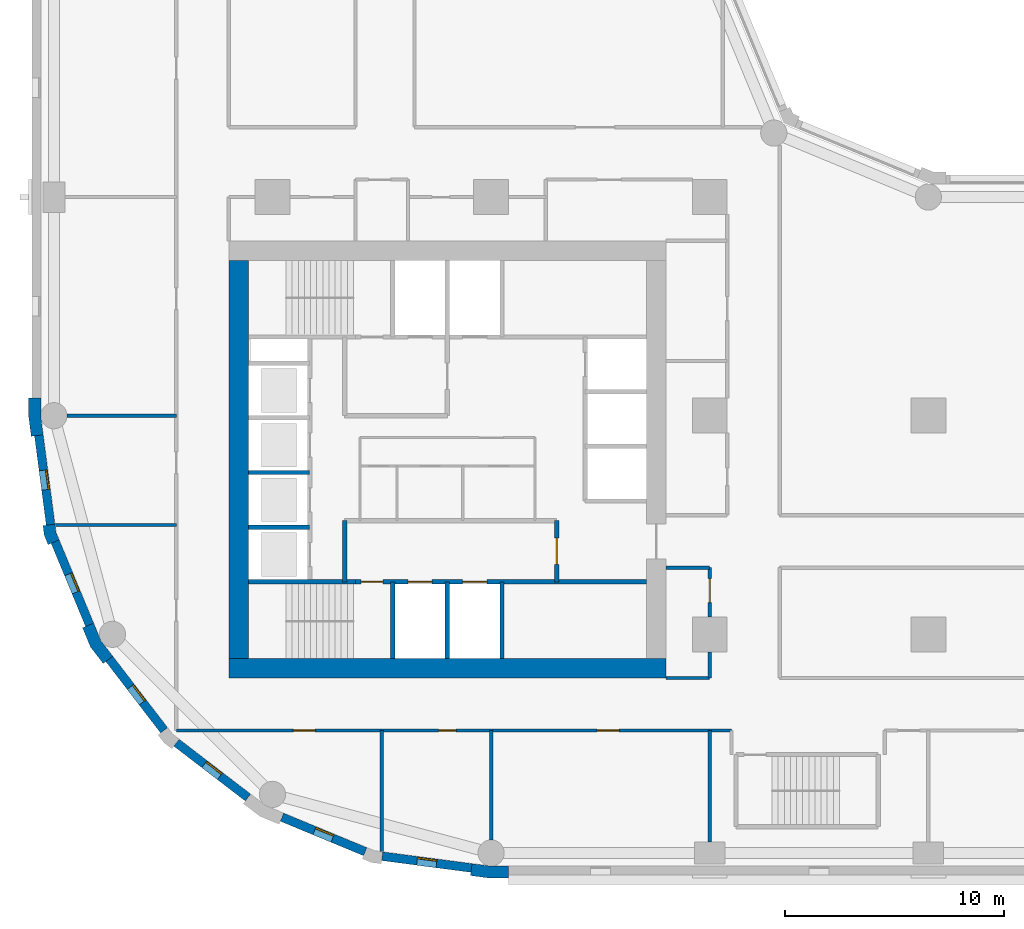
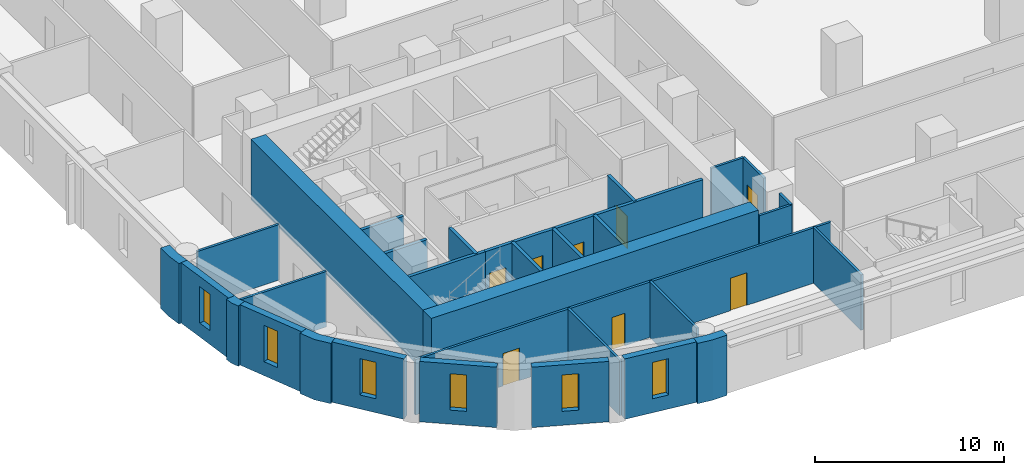
# One storey, part 2 of 10: 31 walls, 8 doors, 6 windows, 14 openings.
"""IFC4 building model written with IfcOpenShell, lengths in metres."""

from ifc_helpers import new_model, si_unit, direction, frame, frame_2d, origin, place, context, subcontext, project, spatial, polyline, rectangle, outline, extrude, material, layer, layer_set, type_object, element, fill, save


model = new_model("IFC4")

# Units and contexts
model_context = context("Model", 3, precision=1e-05, world=origin(), true_north=direction((0.0, 1.0)))
body_context = subcontext(model_context, "Body", "Model", "MODEL_VIEW")
ifc_project = project(units=[si_unit("LENGTHUNIT", "METRE"), si_unit("AREAUNIT", "SQUARE_METRE"), si_unit("VOLUMEUNIT", "CUBIC_METRE"), si_unit("PLANEANGLEUNIT", "RADIAN"), si_unit("MASSUNIT", "GRAM", prefix="KILO")], contexts=[model_context])

# Site, building, storey
site_placement = place(None, origin())
site = spatial("IfcSite", under=ifc_project, at=site_placement, CompositionType="ELEMENT")
building_placement = place(site_placement, origin())
building = spatial("IfcBuilding", under=site, at=building_placement, Name="Qaws Garden Tower", CompositionType="ELEMENT")
storey_placement = place(building_placement, frame((0.0, 0.0, 47.10009765625)))
storey = spatial("IfcBuildingStorey", under=building, at=storey_placement, Name="L11", CompositionType="ELEMENT", Elevation=47.10009765625)

# Wall, opening, window
ifc_material_1 = material(Name="Clay facing brick masonry", Category="masonry")
ifc_layer_1 = layer(ifc_material_1, 0.39990234375)
ifc_layer_set_1 = layer_set([ifc_layer_1], Name="Clay facing brick masonry")
wall_type_1 = type_object("IfcWallType", Name="Brick infill wall 400", PredefinedType="SOLIDWALL", material=ifc_layer_set_1)
wall_1_placement = place(storey_placement, frame((-0.688720703125, 19.102294921875, 0.0), z_axis=(0.0, 0.0, 1.0), x_axis=(0.130514280502, -0.991446429508, 0.0)))
wall_1 = element("IfcWall", 1, at=wall_1_placement, inside=storey, type_object=wall_type_1, Name="E-L11-infill-27", PredefinedType="SOLIDWALL", context=body_context, shape_type="SweptSolid", body=[
    extrude(rectangle(XDim=4.120849609375, YDim=0.39990234375, at=frame_2d((2.060546875, 0.0))), origin(), (0.0, 0.0, 1.0), 3.89990234375),
])
opening_1_placement = place(wall_1_placement, frame((1.610595703125, 0.0, 0.89990234375)))
opening_1 = element("IfcOpeningElement", 2, at=opening_1_placement, cuts=wall_1, Name="Opening W09", PredefinedType="OPENING", context=body_context, shape_type="SweptSolid", body=[
    extrude(rectangle(XDim=0.89990234375, YDim=2.35009765625, at=frame_2d((0.449951171875, 1.175048828125))), frame((0.0, 0.2099609375, 0.0), z_axis=(0.0, -1.0, 0.0), x_axis=(1.0, 0.0, 0.0)), (0.0, 0.0, 1.0), 0.419921875),
])
ifc_material_2 = material(Name="Aluminium framed window, clear glazing", Category="aluminium")
window_type = type_object("IfcWindowType", Name="Slit window 900 x 2350", PartitioningType="SINGLE_PANEL", PredefinedType="WINDOW", material=ifc_material_2)
window_1_placement = place(opening_1_placement, origin())
window_1 = element("IfcWindow", 3, at=window_1_placement, inside=storey, type_object=window_type, Name="E-L11-window-27-0", OverallHeight=2.35009765625, OverallWidth=0.89990234375, PartitioningType="SINGLE_PANEL", PredefinedType="WINDOW", context=body_context, shape_type="SweptSolid", body=[
    extrude(rectangle(XDim=0.89990234375, YDim=2.35009765625, at=frame_2d((0.449951171875, 1.175048828125))), frame((0.0, 0.159912109375, 0.0), z_axis=(0.0, -1.0, 0.0), x_axis=(1.0, 0.0, 0.0)), (0.0, 0.0, 1.0), 0.06005859375),
])
fill(opening_1, window_1)

wall_2_placement = place(storey_placement, frame((0.05712890625, 14.240234375, 0.0), z_axis=(0.0, 0.0, 1.0), x_axis=(0.382721546029, -0.923863744394, 0.0)))
wall_2 = element("IfcWall", 4, at=wall_2_placement, inside=storey, type_object=wall_type_1, Name="E-L11-infill-28", PredefinedType="SOLIDWALL", context=body_context, shape_type="SweptSolid", body=[
    extrude(rectangle(XDim=4.120849609375, YDim=0.39990234375, at=frame_2d((2.060546875, 0.0))), origin(), (0.0, 0.0, 1.0), 3.89990234375),
])
opening_2_placement = place(wall_2_placement, frame((1.610595703125, 0.0, 0.89990234375)))
opening_2 = element("IfcOpeningElement", 5, at=opening_2_placement, cuts=wall_2, Name="Opening W09", PredefinedType="OPENING", context=body_context, shape_type="SweptSolid", body=[
    extrude(rectangle(XDim=0.89990234375, YDim=2.35009765625, at=frame_2d((0.449951171875, 1.175048828125))), frame((0.0, 0.2099609375, 0.0), z_axis=(0.0, -1.0, 0.0), x_axis=(1.0, 0.0, 0.0)), (0.0, 0.0, 1.0), 0.419921875),
])
window_2_placement = place(opening_2_placement, origin())
window_2 = element("IfcWindow", 6, at=window_2_placement, inside=storey, type_object=window_type, Name="E-L11-window-28-0", OverallHeight=2.35009765625, OverallWidth=0.89990234375, PartitioningType="SINGLE_PANEL", PredefinedType="WINDOW", context=body_context, shape_type="SweptSolid", body=[
    extrude(rectangle(XDim=0.89990234375, YDim=2.35009765625, at=frame_2d((0.449951171875, 1.175048828125))), frame((0.0, 0.159912109375, 0.0), z_axis=(0.0, -1.0, 0.0), x_axis=(1.0, 0.0, 0.0)), (0.0, 0.0, 1.0), 0.06005859375),
])
fill(opening_2, window_2)

wall_3_placement = place(storey_placement, frame((2.53173828125, 8.87841796875, 0.0), z_axis=(0.0, 0.0, 1.0), x_axis=(0.608759824817, -0.793354571229, 0.0)))
wall_3 = element("IfcWall", 7, at=wall_3_placement, inside=storey, type_object=wall_type_1, Name="E-L11-infill-29", PredefinedType="SOLIDWALL", context=body_context, shape_type="SweptSolid", body=[
    extrude(rectangle(XDim=4.12109375, YDim=0.39990234375, at=frame_2d((2.060546875, 0.0))), origin(), (0.0, 0.0, 1.0), 3.89990234375),
])
opening_3_placement = place(wall_3_placement, frame((1.610595703125, 0.0, 0.89990234375)))
opening_3 = element("IfcOpeningElement", 8, at=opening_3_placement, cuts=wall_3, Name="Opening W09", PredefinedType="OPENING", context=body_context, shape_type="SweptSolid", body=[
    extrude(rectangle(XDim=0.89990234375, YDim=2.35009765625, at=frame_2d((0.449951171875, 1.175048828125))), frame((0.0, 0.2099609375, 0.0), z_axis=(0.0, -1.0, 0.0), x_axis=(1.0, 0.0, 0.0)), (0.0, 0.0, 1.0), 0.419921875),
])
window_3_placement = place(opening_3_placement, origin())
window_3 = element("IfcWindow", 9, at=window_3_placement, inside=storey, type_object=window_type, Name="E-L11-window-29-0", OverallHeight=2.35009765625, OverallWidth=0.89990234375, PartitioningType="SINGLE_PANEL", PredefinedType="WINDOW", context=body_context, shape_type="SweptSolid", body=[
    extrude(rectangle(XDim=0.89990234375, YDim=2.35009765625, at=frame_2d((0.449951171875, 1.175048828125))), frame((0.0, 0.159912109375, 0.0), z_axis=(0.0, -1.0, 0.0), x_axis=(1.0, 0.0, 0.0)), (0.0, 0.0, 1.0), 0.06005859375),
])
fill(opening_3, window_3)

wall_4_placement = place(storey_placement, frame((5.60888671875, 5.04052734375, 0.0), z_axis=(0.0, 0.0, 1.0), x_axis=(0.793354571229, -0.608759824817, 0.0)))
wall_4 = element("IfcWall", 10, at=wall_4_placement, inside=storey, type_object=wall_type_1, Name="E-L11-infill-30", PredefinedType="SOLIDWALL", context=body_context, shape_type="SweptSolid", body=[
    extrude(rectangle(XDim=4.12109375, YDim=0.39990234375, at=frame_2d((2.060546875, 0.0))), origin(), (0.0, 0.0, 1.0), 3.89990234375),
])
opening_4_placement = place(wall_4_placement, frame((1.610595703125, 0.0, 0.89990234375)))
opening_4 = element("IfcOpeningElement", 11, at=opening_4_placement, cuts=wall_4, Name="Opening W09", PredefinedType="OPENING", context=body_context, shape_type="SweptSolid", body=[
    extrude(rectangle(XDim=0.89990234375, YDim=2.35009765625, at=frame_2d((0.449951171875, 1.175048828125))), frame((0.0, 0.2099609375, 0.0), z_axis=(0.0, -1.0, 0.0), x_axis=(1.0, 0.0, 0.0)), (0.0, 0.0, 1.0), 0.419921875),
])
window_4_placement = place(opening_4_placement, origin())
window_4 = element("IfcWindow", 12, at=window_4_placement, inside=storey, type_object=window_type, Name="E-L11-window-30-0", OverallHeight=2.35009765625, OverallWidth=0.89990234375, PartitioningType="SINGLE_PANEL", PredefinedType="WINDOW", context=body_context, shape_type="SweptSolid", body=[
    extrude(rectangle(XDim=0.89990234375, YDim=2.35009765625, at=frame_2d((0.449951171875, 1.175048828125))), frame((0.0, 0.159912109375, 0.0), z_axis=(0.0, -1.0, 0.0), x_axis=(1.0, 0.0, 0.0)), (0.0, 0.0, 1.0), 0.06005859375),
])
fill(opening_4, window_4)

wall_5_placement = place(storey_placement, frame((10.43310546875, 1.63427734375, 0.0), z_axis=(0.0, 0.0, 1.0), x_axis=(0.923863744394, -0.382721546029, 0.0)))
wall_5 = element("IfcWall", 13, at=wall_5_placement, inside=storey, type_object=wall_type_1, Name="E-L11-infill-31", PredefinedType="SOLIDWALL", context=body_context, shape_type="SweptSolid", body=[
    extrude(rectangle(XDim=4.120849609375, YDim=0.39990234375, at=frame_2d((2.060546875, 0.0))), origin(), (0.0, 0.0, 1.0), 3.89990234375),
])
opening_5_placement = place(wall_5_placement, frame((1.610595703125, 0.0, 0.89990234375)))
opening_5 = element("IfcOpeningElement", 14, at=opening_5_placement, cuts=wall_5, Name="Opening W09", PredefinedType="OPENING", context=body_context, shape_type="SweptSolid", body=[
    extrude(rectangle(XDim=0.89990234375, YDim=2.35009765625, at=frame_2d((0.449951171875, 1.175048828125))), frame((0.0, 0.2099609375, 0.0), z_axis=(0.0, -1.0, 0.0), x_axis=(1.0, 0.0, 0.0)), (0.0, 0.0, 1.0), 0.419921875),
])
window_5_placement = place(opening_5_placement, origin())
window_5 = element("IfcWindow", 15, at=window_5_placement, inside=storey, type_object=window_type, Name="E-L11-window-31-0", OverallHeight=2.35009765625, OverallWidth=0.89990234375, PartitioningType="SINGLE_PANEL", PredefinedType="WINDOW", context=body_context, shape_type="SweptSolid", body=[
    extrude(rectangle(XDim=0.89990234375, YDim=2.35009765625, at=frame_2d((0.449951171875, 1.175048828125))), frame((0.0, 0.159912109375, 0.0), z_axis=(0.0, -1.0, 0.0), x_axis=(1.0, 0.0, 0.0)), (0.0, 0.0, 1.0), 0.06005859375),
])
fill(opening_5, window_5)

wall_6_placement = place(storey_placement, frame((15.0166015625, -0.15087890625, 0.0), z_axis=(0.0, 0.0, 1.0), x_axis=(0.991446429508, -0.130514280502, 0.0)))
wall_6 = element("IfcWall", 16, at=wall_6_placement, inside=storey, type_object=wall_type_1, Name="E-L11-infill-32", PredefinedType="SOLIDWALL", context=body_context, shape_type="SweptSolid", body=[
    extrude(rectangle(XDim=4.120849609375, YDim=0.39990234375, at=frame_2d((2.060546875, 0.0))), origin(), (0.0, 0.0, 1.0), 3.89990234375),
])
opening_6_placement = place(wall_6_placement, frame((1.610595703125, 0.0, 0.89990234375)))
opening_6 = element("IfcOpeningElement", 17, at=opening_6_placement, cuts=wall_6, Name="Opening W09", PredefinedType="OPENING", context=body_context, shape_type="SweptSolid", body=[
    extrude(rectangle(XDim=0.89990234375, YDim=2.35009765625, at=frame_2d((0.449951171875, 1.175048828125))), frame((0.0, 0.2099609375, 0.0), z_axis=(0.0, -1.0, 0.0), x_axis=(1.0, 0.0, 0.0)), (0.0, 0.0, 1.0), 0.419921875),
])
window_6_placement = place(opening_6_placement, origin())
window_6 = element("IfcWindow", 18, at=window_6_placement, inside=storey, type_object=window_type, Name="E-L11-window-32-0", OverallHeight=2.35009765625, OverallWidth=0.89990234375, PartitioningType="SINGLE_PANEL", PredefinedType="WINDOW", context=body_context, shape_type="SweptSolid", body=[
    extrude(rectangle(XDim=0.89990234375, YDim=2.35009765625, at=frame_2d((0.449951171875, 1.175048828125))), frame((0.0, 0.159912109375, 0.0), z_axis=(0.0, -1.0, 0.0), x_axis=(1.0, 0.0, 0.0)), (0.0, 0.0, 1.0), 0.06005859375),
])
fill(opening_6, window_6)

# Walls
ifc_material_3 = material(Name="Clay facing brick masonry", Category="masonry")
ifc_layer_2 = layer(ifc_material_3, 0.550048828125)
ifc_layer_set_2 = layer_set([ifc_layer_2], Name="Clay facing brick masonry")
wall_type_2 = type_object("IfcWallType", Name="Brick kink pier 550 x 600", PredefinedType="SOLIDWALL", material=ifc_layer_set_2)
placement = place(storey_placement, origin())
element("IfcWall", 19, at=placement, inside=storey, type_object=wall_type_2, Name="E-L11-pier-28", PredefinedType="SOLIDWALL", context=body_context, shape_type="SweptSolid", body=[
    extrude(outline(polyline([(-0.34912109375, 14.990478515625), (-0.497802734375, 14.970947265625), (-0.43896484375, 14.5234375), (-0.26611328125, 14.1064453125), (-0.127685546875, 14.163818359375), (0.241943359375, 14.31689453125), (0.096923828125, 14.6669921875), (0.04736328125, 15.042724609375), (-0.34912109375, 14.990478515625)])), origin(), (0.0, 0.0, 1.0), 3.89990234375),
])
ifc_material_4 = material(Name="Clay facing brick masonry", Category="masonry")
ifc_layer_3 = layer(ifc_material_4, 0.550048828125)
ifc_layer_set_3 = layer_set([ifc_layer_3], Name="Clay facing brick masonry")
wall_type_3 = type_object("IfcWallType", Name="Brick pier 550 x 1600", PredefinedType="SOLIDWALL", material=ifc_layer_set_3)
element("IfcWall", 20, at=placement, inside=storey, type_object=wall_type_3, Name="E-L11-pier-00", PredefinedType="SOLIDWALL", context=body_context, shape_type="SweptSolid", body=[
    extrude(outline(polyline([(19.076416015625, -0.886962890625), (19.056640625, -1.03564453125), (19.924560546875, -1.14990234375), (20.800048828125, -1.14990234375), (20.800048828125, -1.0), (20.800048828125, -0.60009765625), (19.960693359375, -0.60009765625), (19.12841796875, -0.490478515625), (19.076416015625, -0.886962890625)])), origin(), (0.0, 0.0, 1.0), 3.89990234375),
])
element("IfcWall", 21, at=placement, inside=storey, type_object=wall_type_3, Name="E-L11-pier-27", PredefinedType="SOLIDWALL", context=body_context, shape_type="SweptSolid", body=[
    extrude(outline(polyline([(-1.0, 20.800048828125), (-1.14990234375, 20.800048828125), (-1.14990234375, 19.924560546875), (-1.03564453125, 19.056640625), (-0.886962890625, 19.076416015625), (-0.490478515625, 19.12841796875), (-0.60009765625, 19.960693359375), (-0.60009765625, 20.800048828125), (-1.0, 20.800048828125)])), origin(), (0.0, 0.0, 1.0), 3.89990234375),
])
element("IfcWall", 22, at=placement, inside=storey, type_object=wall_type_3, Name="E-L11-pier-29", PredefinedType="SOLIDWALL", context=body_context, shape_type="SweptSolid", body=[
    extrude(outline(polyline([(1.449462890625, 10.3564453125), (1.310791015625, 10.299072265625), (1.675048828125, 9.419921875), (2.254150390625, 8.665283203125), (2.373046875, 8.756591796875), (2.6904296875, 9.0), (2.1552734375, 9.697509765625), (1.819091796875, 10.509521484375), (1.449462890625, 10.3564453125)])), origin(), (0.0, 0.0, 1.0), 3.89990234375),
])
ifc_material_5 = material(Name="Concrete C80", Category="concrete")
ifc_layer_4 = layer(ifc_material_5, 0.199951171875)
ifc_layer_set_4 = layer_set([ifc_layer_4], Name="Concrete C80")
wall_type_4 = type_object("IfcWallType", Name="Core shaft wall 200 C80", PredefinedType="SHEAR", material=ifc_layer_set_4)
wall_11_placement = place(storey_placement, frame((8.89990234375, 12.39990234375, 0.0), z_axis=(0.0, 0.0, 1.0), x_axis=(1.0, 0.0, 0.0)))
element("IfcWall", 23, at=wall_11_placement, inside=storey, type_object=wall_type_4, Name="Shaft wall", PredefinedType="SHEAR", context=body_context, shape_type="SweptSolid", body=[
    extrude(rectangle(XDim=4.900146484375, YDim=0.199951171875, at=frame_2d((2.4501953125, 0.0))), origin(), (0.0, 0.0, 1.0), 3.579833984375),
])

# Wall, openings, doors
wall_12_placement = place(storey_placement, frame((13.800048828125, 12.39990234375, 0.0), z_axis=(0.0, 0.0, 1.0), x_axis=(1.0, 0.0, 0.0)))
wall_12 = element("IfcWall", 24, at=wall_12_placement, inside=storey, type_object=wall_type_4, Name="Shaft wall", PredefinedType="SHEAR", context=body_context, shape_type="SweptSolid", body=[
    extrude(rectangle(XDim=13.300048828125, YDim=0.199951171875, at=frame_2d((6.64990234375, 0.0))), origin(), (0.0, 0.0, 1.0), 3.579833984375),
])
opening_7_placement = place(wall_12_placement, frame((2.39990234375, 0.0, 0.0)))
opening_7 = element("IfcOpeningElement", 25, at=opening_7_placement, cuts=wall_12, Name="Opening LD06", PredefinedType="OPENING", context=body_context, shape_type="SweptSolid", body=[
    extrude(rectangle(XDim=1.10009765625, YDim=2.10009765625, at=frame_2d((0.550048828125, 1.050048828125))), frame((0.0, 0.10986328125, 0.0), z_axis=(0.0, -1.0, 0.0), x_axis=(1.0, 0.0, 0.0)), (0.0, 0.0, 1.0), 0.219970703125),
])
opening_8_placement = place(wall_12_placement, frame((4.89990234375, 0.0, 0.0)))
opening_8 = element("IfcOpeningElement", 26, at=opening_8_placement, cuts=wall_12, Name="Opening LD07", PredefinedType="OPENING", context=body_context, shape_type="SweptSolid", body=[
    extrude(rectangle(XDim=1.10009765625, YDim=2.10009765625, at=frame_2d((0.550048828125, 1.050048828125))), frame((0.0, 0.10986328125, 0.0), z_axis=(0.0, -1.0, 0.0), x_axis=(1.0, 0.0, 0.0)), (0.0, 0.0, 1.0), 0.219970703125),
])
opening_9_placement = place(wall_12_placement, frame((0.25, 0.0, 0.0)))
opening_9 = element("IfcOpeningElement", 27, at=opening_9_placement, cuts=wall_12, Name="Opening SD10", PredefinedType="OPENING", context=body_context, shape_type="SweptSolid", body=[
    extrude(rectangle(XDim=1.0, YDim=2.10009765625, at=frame_2d((0.5, 1.050048828125))), frame((0.0, 0.10986328125, 0.0), z_axis=(0.0, -1.0, 0.0), x_axis=(1.0, 0.0, 0.0)), (0.0, 0.0, 1.0), 0.219970703125),
])
ifc_material_6 = material(Name="Steel S235", Category="steel")
door_type_1 = type_object("IfcDoorType", Name="Landing door 1100x2100", OperationType="DOUBLE_DOOR_SLIDING", PredefinedType="DOOR", material=ifc_material_6)
door_1_placement = place(opening_7_placement, origin())
door_1 = element("IfcDoor", 28, at=door_1_placement, inside=storey, type_object=door_type_1, Name="Lift FF1 landing door", OperationType="DOUBLE_DOOR_SLIDING", OverallHeight=2.10009765625, OverallWidth=1.10009765625, PredefinedType="DOOR", context=body_context, shape_type="SweptSolid", body=[
    extrude(rectangle(XDim=1.10009765625, YDim=2.10009765625, at=frame_2d((0.550048828125, 1.050048828125))), frame((0.0, 0.02490234375, 0.0), z_axis=(0.0, -1.0, 0.0), x_axis=(1.0, 0.0, 0.0)), (0.0, 0.0, 1.0), 0.050048828125),
])
fill(opening_7, door_1)
door_2_placement = place(opening_8_placement, origin())
door_2 = element("IfcDoor", 29, at=door_2_placement, inside=storey, type_object=door_type_1, Name="Lift FF2 landing door", OperationType="DOUBLE_DOOR_SLIDING", OverallHeight=2.10009765625, OverallWidth=1.10009765625, PredefinedType="DOOR", context=body_context, shape_type="SweptSolid", body=[
    extrude(rectangle(XDim=1.10009765625, YDim=2.10009765625, at=frame_2d((0.550048828125, 1.050048828125))), frame((0.0, 0.02490234375, 0.0), z_axis=(0.0, -1.0, 0.0), x_axis=(1.0, 0.0, 0.0)), (0.0, 0.0, 1.0), 0.050048828125),
])
fill(opening_8, door_2)
ifc_material_7 = material(Name="Steel S235", Category="steel")
door_type_2 = type_object("IfcDoorType", Name="Stair door 1000x2100", OperationType="SINGLE_SWING_RIGHT", PredefinedType="DOOR", material=ifc_material_7)
door_3_placement = place(opening_9_placement, frame((1.0, 0.0, 0.0), z_axis=(0.0, 0.0, 1.0), x_axis=(-1.0, 0.0, 0.0)))
door_3 = element("IfcDoor", 30, at=door_3_placement, inside=storey, type_object=door_type_2, Name="Stair 1 door", OperationType="SINGLE_SWING_LEFT", OverallHeight=2.10009765625, OverallWidth=1.0, PredefinedType="DOOR", context=body_context, shape_type="SweptSolid", body=[
    extrude(rectangle(XDim=1.0, YDim=2.10009765625, at=frame_2d((0.5, 1.050048828125))), frame((0.0, 0.02490234375, 0.0), z_axis=(0.0, -1.0, 0.0), x_axis=(1.0, 0.0, 0.0)), (0.0, 0.0, 1.0), 0.050048828125),
])
fill(opening_9, door_3)

# Walls
for number, where, z_axis, x_axis, name in (
    (31, (8.89990234375, 14.89990234375, 0.0), (0.0, 0.0, 1.0), (1.0, 0.0, 0.0), "Shaft wall"),
    (32, (8.89990234375, 17.39990234375, 0.0), (0.0, 0.0, 1.0), (1.0, 0.0, 0.0), "Shaft wall"),
    (33, (13.300048828125, 12.39990234375, 0.0), (0.0, 0.0, 1.0), (0.0, 1.0, 0.0), "Shaft wall"),
):
    element("IfcWall", number, at=place(storey_placement, frame(where, z_axis=z_axis, x_axis=x_axis)), inside=storey, type_object=wall_type_4, Name=name, PredefinedType="SHEAR", context=body_context, shape_type="SweptSolid", body=[
        extrude(rectangle(XDim=2.800048828125, YDim=0.199951171875, at=frame_2d((1.39990234375, 0.0))), origin(), (0.0, 0.0, 1.0), 3.579833984375),
    ])
for number, where, z_axis, x_axis, name in (
    (34, (15.5, 8.89990234375, 0.0), (0.0, 0.0, 1.0), (0.0, 1.0, 0.0), "Shaft wall"),
    (35, (18.0, 8.89990234375, 0.0), (0.0, 0.0, 1.0), (0.0, 1.0, 0.0), "Shaft wall"),
    (36, (20.5, 8.89990234375, 0.0), (0.0, 0.0, 1.0), (0.0, 1.0, 0.0), "Shaft wall"),
):
    element("IfcWall", number, at=place(storey_placement, frame(where, z_axis=z_axis, x_axis=x_axis)), inside=storey, type_object=wall_type_4, Name=name, PredefinedType="SHEAR", context=body_context, shape_type="SweptSolid", body=[
        extrude(rectangle(XDim=3.5, YDim=0.199951171875, at=frame_2d((1.75, 0.0))), origin(), (0.0, 0.0, 1.0), 3.579833984375),
    ])

# Wall, opening, door
wall_13_placement = place(storey_placement, frame((23.0, 12.39990234375, 0.0), z_axis=(0.0, 0.0, 1.0), x_axis=(0.0, 1.0, 0.0)))
wall_13 = element("IfcWall", 37, at=wall_13_placement, inside=storey, type_object=wall_type_4, Name="Shaft wall", PredefinedType="SHEAR", context=body_context, shape_type="SweptSolid", body=[
    extrude(rectangle(XDim=2.800048828125, YDim=0.199951171875, at=frame_2d((1.39990234375, 0.0))), origin(), (0.0, 0.0, 1.0), 3.579833984375),
])
opening_10_placement = place(wall_13_placement, frame((0.800048828125, 0.0, 0.0)))
opening_10 = element("IfcOpeningElement", 38, at=opening_10_placement, cuts=wall_13, Name="Opening FD15", PredefinedType="OPENING", context=body_context, shape_type="SweptSolid", body=[
    extrude(rectangle(XDim=1.199951171875, YDim=2.10009765625, at=frame_2d((0.60009765625, 1.050048828125))), frame((0.0, 0.10986328125, 0.0), z_axis=(0.0, -1.0, 0.0), x_axis=(1.0, 0.0, 0.0)), (0.0, 0.0, 1.0), 0.219970703125),
])
ifc_material_8 = material(Name="Steel S235", Category="steel")
door_type_3 = type_object("IfcDoorType", Name="Lobby door 1200x2100", OperationType="DOUBLE_DOOR_SINGLE_SWING", PredefinedType="DOOR", material=ifc_material_8)
door_4_placement = place(opening_10_placement, origin())
door_4 = element("IfcDoor", 39, at=door_4_placement, inside=storey, type_object=door_type_3, Name="Fire-fighting lobby door", OperationType="DOUBLE_DOOR_SINGLE_SWING", OverallHeight=2.10009765625, OverallWidth=1.199951171875, PredefinedType="DOOR", context=body_context, shape_type="SweptSolid", body=[
    extrude(rectangle(XDim=1.199951171875, YDim=2.10009765625, at=frame_2d((0.60009765625, 1.050048828125))), frame((0.0, 0.02490234375, 0.0), z_axis=(0.0, -1.0, 0.0), x_axis=(1.0, 0.0, 0.0)), (0.0, 0.0, 1.0), 0.050048828125),
])
fill(opening_10, door_4)

# Walls
ifc_material_9 = material(Name="Concrete C80", Category="concrete")
ifc_layer_5 = layer(ifc_material_9, 0.89990234375)
ifc_layer_set_5 = layer_set([ifc_layer_5], Name="Concrete C80")
wall_type_5 = type_object("IfcWallType", Name="Core wall 900 C80", PredefinedType="SHEAR", material=ifc_layer_set_5)
wall_14_placement = place(storey_placement, frame((8.0, 8.449951171875, 0.0), z_axis=(0.0, 0.0, 1.0), x_axis=(1.0, 0.0, 0.0)))
element("IfcWall", 40, at=wall_14_placement, inside=storey, type_object=wall_type_5, Name="Core wall L11 south", PredefinedType="SHEAR", context=body_context, shape_type="SweptSolid", body=[
    extrude(rectangle(XDim=20.0, YDim=0.89990234375, at=frame_2d((10.0, 0.0))), origin(), (0.0, 0.0, 1.0), 3.89990234375),
])
wall_15_placement = place(storey_placement, frame((8.449951171875, 27.10009765625, 0.0), z_axis=(0.0, 0.0, 1.0), x_axis=(0.0, -1.0, 0.0)))
element("IfcWall", 41, at=wall_15_placement, inside=storey, type_object=wall_type_5, Name="Core wall L11 west", PredefinedType="SHEAR", context=body_context, shape_type="SweptSolid", body=[
    extrude(rectangle(XDim=18.2001953125, YDim=0.89990234375, at=frame_2d((9.10009765625, 0.0))), origin(), (0.0, 0.0, 1.0), 3.89990234375),
])
ifc_material_10 = material(Name="Gypsum board partition")
ifc_layer_6 = layer(ifc_material_10, 0.14990234375)
ifc_layer_set_6 = layer_set([ifc_layer_6], Name="Gypsum board partition")
wall_type_6 = type_object("IfcWallType", Name="PARTITION 150 EI 60", PredefinedType="PARTITIONING", material=ifc_layer_set_6)
wall_16_placement = place(storey_placement, frame((15.0, 0.06298828125, 0.0), z_axis=(0.0, 0.0, 1.0), x_axis=(0.0, 1.0, 0.0)))
element("IfcWall", 42, at=wall_16_placement, inside=storey, type_object=wall_type_6, Name="O-L11-wall-007", PredefinedType="PARTITIONING", context=body_context, shape_type="SweptSolid", body=[
    extrude(rectangle(XDim=5.537109375, YDim=0.14990234375, at=frame_2d((2.7685546875, 0.0))), origin(), (0.0, 0.0, 1.0), 3.579833984375),
])
wall_17_placement = place(storey_placement, frame((20.0, 0.60009765625, 0.0), z_axis=(0.0, 0.0, 1.0), x_axis=(0.0, 1.0, 0.0)))
element("IfcWall", 43, at=wall_17_placement, inside=storey, type_object=wall_type_6, Name="O-L11-wall-011", PredefinedType="PARTITIONING", context=body_context, shape_type="SweptSolid", body=[
    extrude(rectangle(XDim=5.0, YDim=0.14990234375, at=frame_2d((2.5, 0.0))), origin(), (0.0, 0.0, 1.0), 3.579833984375),
])
wall_18_placement = place(storey_placement, frame((30.0, 0.5, 0.0), z_axis=(0.0, 0.0, 1.0), x_axis=(0.0, 1.0, 0.0)))
element("IfcWall", 44, at=wall_18_placement, inside=storey, type_object=wall_type_6, Name="O-L11-wall-014", PredefinedType="PARTITIONING", context=body_context, shape_type="SweptSolid", body=[
    extrude(rectangle(XDim=5.10009765625, YDim=0.14990234375, at=frame_2d((2.550048828125, 0.0))), origin(), (0.0, 0.0, 1.0), 3.579833984375),
])
wall_19_placement = place(storey_placement, frame((30.0, 8.0, 0.0), z_axis=(0.0, 0.0, 1.0), x_axis=(0.0, 1.0, 0.0)))
element("IfcWall", 45, at=wall_19_placement, inside=storey, type_object=wall_type_6, Name="O-L11-wall-015", PredefinedType="PARTITIONING", context=body_context, shape_type="SweptSolid", body=[
    extrude(rectangle(XDim=1.199951171875, YDim=0.14990234375, at=frame_2d((0.60009765625, 0.0))), origin(), (0.0, 0.0, 1.0), 3.579833984375),
])

# Wall, opening, door
wall_20_placement = place(storey_placement, frame((30.0, 10.800048828125, 0.0), z_axis=(0.0, 0.0, 1.0), x_axis=(0.0, 1.0, 0.0)))
wall_20 = element("IfcWall", 46, at=wall_20_placement, inside=storey, type_object=wall_type_6, Name="O-L11-wall-016", PredefinedType="PARTITIONING", context=body_context, shape_type="SweptSolid", body=[
    extrude(rectangle(XDim=2.25, YDim=0.14990234375, at=frame_2d((1.125, 0.0))), origin(), (0.0, 0.0, 1.0), 3.579833984375),
])
opening_11_placement = place(wall_20_placement, frame((0.64990234375, 0.0, 0.0)))
opening_11 = element("IfcOpeningElement", 47, at=opening_11_placement, cuts=wall_20, Name="Opening A407", PredefinedType="OPENING", context=body_context, shape_type="SweptSolid", body=[
    extrude(rectangle(XDim=1.10009765625, YDim=2.10009765625, at=frame_2d((0.550048828125, 1.050048828125))), frame((0.0, 0.0849609375, 0.0), z_axis=(0.0, -1.0, 0.0), x_axis=(1.0, 0.0, 0.0)), (0.0, 0.0, 1.0), 0.169921875),
])
ifc_material_11 = material(Name="Timber door leaf", Category="wood")
door_type_4 = type_object("IfcDoorType", Name="SERVICE ROOM DOOR 1100 X 2100", OperationType="SINGLE_SWING_LEFT", PredefinedType="DOOR", material=ifc_material_11)
door_5_placement = place(opening_11_placement, origin())
door_5 = element("IfcDoor", 48, at=door_5_placement, inside=storey, type_object=door_type_4, Name="O-L11-door-007", OperationType="SINGLE_SWING_RIGHT", OverallHeight=2.10009765625, OverallWidth=1.10009765625, PredefinedType="DOOR", context=body_context, shape_type="SweptSolid", body=[
    extrude(rectangle(XDim=1.10009765625, YDim=2.10009765625, at=frame_2d((0.550048828125, 1.050048828125))), frame((0.0, 0.02490234375, 0.0), z_axis=(0.0, -1.0, 0.0), x_axis=(1.0, 0.0, 0.0)), (0.0, 0.0, 1.0), 0.050048828125),
])
fill(opening_11, door_5)

# Wall, openings, doors
wall_21_placement = place(storey_placement, frame((5.60009765625, 5.60009765625, 0.0), z_axis=(0.0, 0.0, 1.0), x_axis=(1.0, 0.0, 0.0)))
wall_21 = element("IfcWall", 49, at=wall_21_placement, inside=storey, type_object=wall_type_6, Name="O-L11-wall-029", PredefinedType="PARTITIONING", context=body_context, shape_type="SweptSolid", body=[
    extrude(rectangle(XDim=25.39990234375, YDim=0.14990234375, at=frame_2d((12.699951171875, 0.0))), origin(), (0.0, 0.0, 1.0), 3.579833984375),
])
opening_12_placement = place(wall_21_placement, frame((5.35009765625, 0.0, 0.0)))
opening_12 = element("IfcOpeningElement", 50, at=opening_12_placement, cuts=wall_21, Name="Opening A421", PredefinedType="OPENING", context=body_context, shape_type="SweptSolid", body=[
    extrude(rectangle(XDim=1.0, YDim=2.10009765625, at=frame_2d((0.5, 1.050048828125))), frame((0.0, 0.0849609375, 0.0), z_axis=(0.0, -1.0, 0.0), x_axis=(1.0, 0.0, 0.0)), (0.0, 0.0, 1.0), 0.169921875),
])
opening_13_placement = place(wall_21_placement, frame((12.0, 0.0, 0.0)))
opening_13 = element("IfcOpeningElement", 51, at=opening_13_placement, cuts=wall_21, Name="Opening A422", PredefinedType="OPENING", context=body_context, shape_type="SweptSolid", body=[
    extrude(rectangle(XDim=0.800048828125, YDim=2.10009765625, at=frame_2d((0.39990234375, 1.050048828125))), frame((0.0, 0.0849609375, 0.0), z_axis=(0.0, -1.0, 0.0), x_axis=(1.0, 0.0, 0.0)), (0.0, 0.0, 1.0), 0.169921875),
])
opening_14_placement = place(wall_21_placement, frame((19.25, 0.0, 0.0)))
opening_14 = element("IfcOpeningElement", 52, at=opening_14_placement, cuts=wall_21, Name="Opening A423", PredefinedType="OPENING", context=body_context, shape_type="SweptSolid", body=[
    extrude(rectangle(XDim=1.0, YDim=2.10009765625, at=frame_2d((0.5, 1.050048828125))), frame((0.0, 0.0849609375, 0.0), z_axis=(0.0, -1.0, 0.0), x_axis=(1.0, 0.0, 0.0)), (0.0, 0.0, 1.0), 0.169921875),
])
ifc_material_12 = material(Name="Timber door leaf", Category="wood")
door_type_5 = type_object("IfcDoorType", Name="STORE DOOR 800 X 2100", OperationType="SINGLE_SWING_LEFT", PredefinedType="DOOR", material=ifc_material_12)
door_6_placement = place(opening_13_placement, frame((0.800048828125, 0.0, 0.0), z_axis=(0.0, 0.0, 1.0), x_axis=(-1.0, 0.0, 0.0)))
door_6 = element("IfcDoor", 53, at=door_6_placement, inside=storey, type_object=door_type_5, Name="O-L11-door-022", OperationType="SINGLE_SWING_LEFT", OverallHeight=2.10009765625, OverallWidth=0.800048828125, PredefinedType="DOOR", context=body_context, shape_type="SweptSolid", body=[
    extrude(rectangle(XDim=0.800048828125, YDim=2.10009765625, at=frame_2d((0.39990234375, 1.050048828125))), frame((0.0, 0.02490234375, 0.0), z_axis=(0.0, -1.0, 0.0), x_axis=(1.0, 0.0, 0.0)), (0.0, 0.0, 1.0), 0.050048828125),
])
fill(opening_13, door_6)
ifc_material_13 = material(Name="Timber door leaf", Category="wood")
door_type_6 = type_object("IfcDoorType", Name="TENANCY ENTRANCE DOOR 1000 X 2100", OperationType="SINGLE_SWING_LEFT", PredefinedType="DOOR", material=ifc_material_13)
door_7_placement = place(opening_12_placement, frame((1.0, 0.0, 0.0), z_axis=(0.0, 0.0, 1.0), x_axis=(-1.0, 0.0, 0.0)))
door_7 = element("IfcDoor", 54, at=door_7_placement, inside=storey, type_object=door_type_6, Name="O-L11-door-021", OperationType="SINGLE_SWING_LEFT", OverallHeight=2.10009765625, OverallWidth=1.0, PredefinedType="DOOR", context=body_context, shape_type="SweptSolid", body=[
    extrude(rectangle(XDim=1.0, YDim=2.10009765625, at=frame_2d((0.5, 1.050048828125))), frame((0.0, 0.02490234375, 0.0), z_axis=(0.0, -1.0, 0.0), x_axis=(1.0, 0.0, 0.0)), (0.0, 0.0, 1.0), 0.050048828125),
])
fill(opening_12, door_7)
door_8_placement = place(opening_14_placement, frame((1.0, 0.0, 0.0), z_axis=(0.0, 0.0, 1.0), x_axis=(-1.0, 0.0, 0.0)))
door_8 = element("IfcDoor", 55, at=door_8_placement, inside=storey, type_object=door_type_6, Name="O-L11-door-023", OperationType="SINGLE_SWING_LEFT", OverallHeight=2.10009765625, OverallWidth=1.0, PredefinedType="DOOR", context=body_context, shape_type="SweptSolid", body=[
    extrude(rectangle(XDim=1.0, YDim=2.10009765625, at=frame_2d((0.5, 1.050048828125))), frame((0.0, 0.02490234375, 0.0), z_axis=(0.0, -1.0, 0.0), x_axis=(1.0, 0.0, 0.0)), (0.0, 0.0, 1.0), 0.050048828125),
])
fill(opening_14, door_8)

# Walls
for number, where, z_axis, x_axis, name in (
    (56, (28.0, 8.0, 0.0), (0.0, 0.0, 1.0), (1.0, 0.0, 0.0), "O-L11-wall-031"),
    (57, (28.0, 13.050048828125, 0.0), (0.0, 0.0, 1.0), (1.0, 0.0, 0.0), "O-L11-wall-033"),
):
    element("IfcWall", number, at=place(storey_placement, frame(where, z_axis=z_axis, x_axis=x_axis)), inside=storey, type_object=wall_type_6, Name=name, PredefinedType="PARTITIONING", context=body_context, shape_type="SweptSolid", body=[
        extrude(rectangle(XDim=2.0, YDim=0.14990234375, at=frame_2d((1.0, 0.0))), origin(), (0.0, 0.0, 1.0), 3.579833984375),
    ])
wall_22_placement = place(storey_placement, frame((0.06298828125, 15.0, 0.0), z_axis=(0.0, 0.0, 1.0), x_axis=(1.0, 0.0, 0.0)))
element("IfcWall", 58, at=wall_22_placement, inside=storey, type_object=wall_type_6, Name="O-L11-wall-035", PredefinedType="PARTITIONING", context=body_context, shape_type="SweptSolid", body=[
    extrude(rectangle(XDim=5.537109375, YDim=0.14990234375, at=frame_2d((2.7685546875, 0.0))), origin(), (0.0, 0.0, 1.0), 3.579833984375),
])
wall_23_placement = place(storey_placement, frame((0.60009765625, 20.0, 0.0), z_axis=(0.0, 0.0, 1.0), x_axis=(1.0, 0.0, 0.0)))
element("IfcWall", 59, at=wall_23_placement, inside=storey, type_object=wall_type_6, Name="O-L11-wall-038", PredefinedType="PARTITIONING", context=body_context, shape_type="SweptSolid", body=[
    extrude(rectangle(XDim=5.0, YDim=0.14990234375, at=frame_2d((2.5, 0.0))), origin(), (0.0, 0.0, 1.0), 3.579833984375),
])

save(model, "model.ifc")
